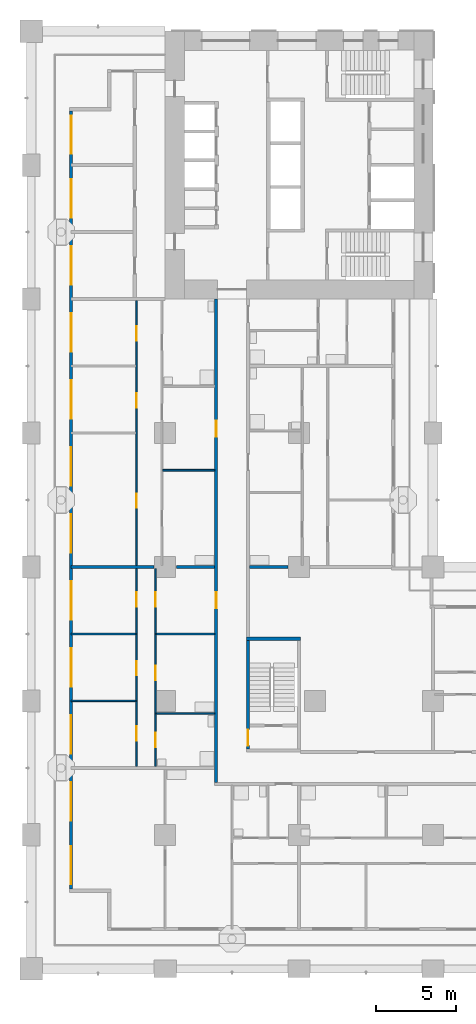
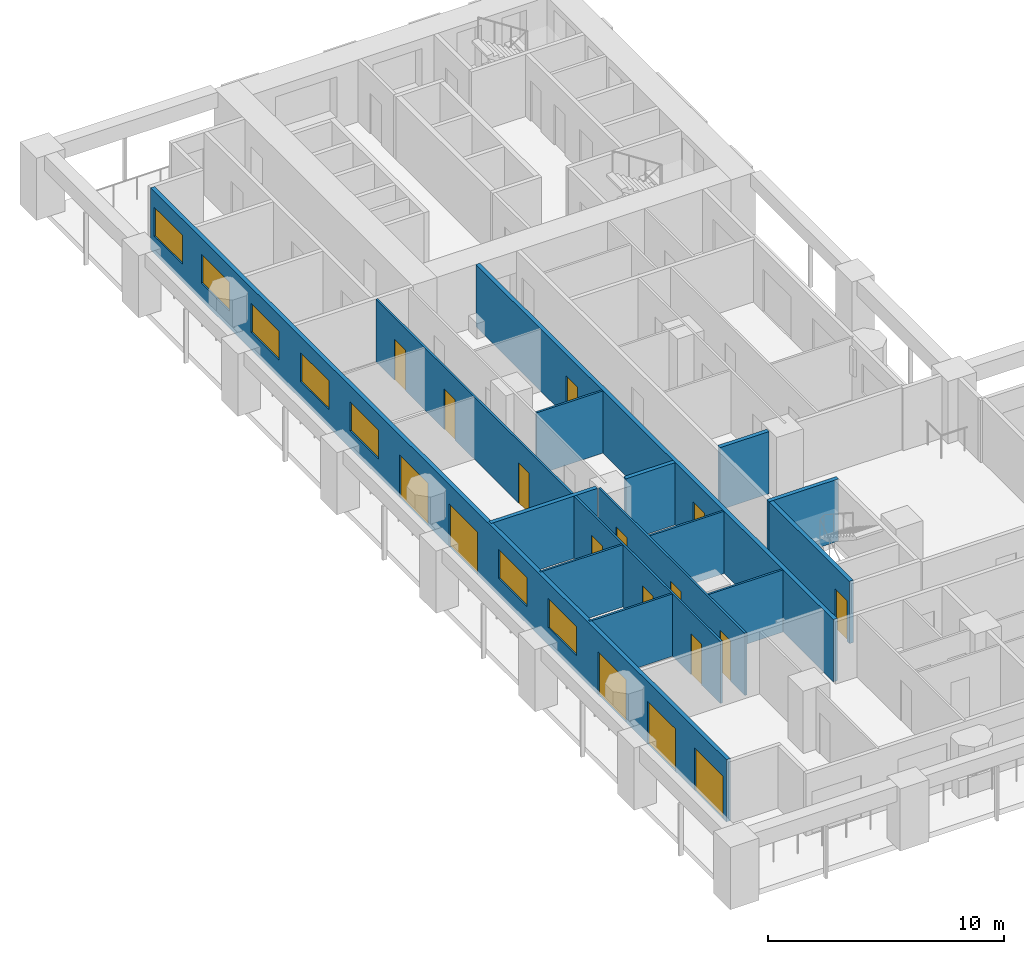
# One storey, part 3 of 20: 17 doors, 14 walls, 7 windows, 24 openings.
"""IFC4 building model written with IfcOpenShell, lengths in metres."""

from ifc_helpers import new_model, si_unit, direction, frame, frame_2d, origin, place, context, subcontext, project, spatial, rectangle, extrude, material, layer, layer_set, type_object, element, fill, save


model = new_model("IFC4")

# Units and contexts
model_context = context("Model", 3, precision=1e-05, world=origin(), true_north=direction((0.0, 1.0)))
body_context = subcontext(model_context, "Body", "Model", "MODEL_VIEW")
ifc_project = project(units=[si_unit("LENGTHUNIT", "METRE"), si_unit("AREAUNIT", "SQUARE_METRE"), si_unit("VOLUMEUNIT", "CUBIC_METRE"), si_unit("PLANEANGLEUNIT", "RADIAN"), si_unit("MASSUNIT", "GRAM", prefix="KILO")], contexts=[model_context])

# Site, building, storey
site_placement = place(None, origin())
site = spatial("IfcSite", under=ifc_project, at=site_placement, CompositionType="ELEMENT")
building_placement = place(site_placement, origin())
building = spatial("IfcBuilding", under=site, at=building_placement, Name="Vermilion Gate Residences", CompositionType="ELEMENT")
storey_placement = place(building_placement, frame((0.0, 0.0, 35.699951171875)))
storey = spatial("IfcBuildingStorey", under=building, at=storey_placement, Name="L07", CompositionType="ELEMENT", Elevation=35.699951171875)

# Wall, openings, doors, windows
ifc_material_1 = material(Name="Insulated steel stud wall with terracotta rainscreen", Category="masonry")
ifc_layer_1 = layer(ifc_material_1, 0.199951171875)
ifc_layer_set_1 = layer_set([ifc_layer_1], Name="EXTERNAL WALL 200 TERRACOTTA RAINSCREEN")
wall_type_1 = type_object("IfcWallType", Name="EXTERNAL WALL 200 TERRACOTTA RAINSCREEN", PredefinedType="SOLIDWALL", material=ifc_layer_set_1)
wall_1_placement = place(storey_placement, frame((2.5, 53.800048828125, 0.0), z_axis=(0.0, 0.0, 1.0), x_axis=(0.0, -1.0, 0.0)))
wall_1 = element("IfcWall", 1, at=wall_1_placement, inside=storey, type_object=wall_type_1, Name="External wall", PredefinedType="SOLIDWALL", context=body_context, shape_type="SweptSolid", body=[
    extrude(rectangle(XDim=48.800048828125, YDim=0.199951171875, at=frame_2d((24.39990234375, 0.0))), origin(), (0.0, 0.0, 1.0), 3.219970703125),
])
opening_1_placement = place(wall_1_placement, frame((46.10009765625, 0.0, 0.0)))
opening_1 = element("IfcOpeningElement", 2, at=opening_1_placement, cuts=wall_1, Name="Opening DE07002", PredefinedType="OPENING", context=body_context, shape_type="SweptSolid", body=[
    extrude(rectangle(XDim=2.39990234375, YDim=2.199951171875, at=frame_2d((1.199951171875, 1.10009765625))), frame((0.0, 0.10986328125, 0.0), z_axis=(0.0, -1.0, 0.0), x_axis=(1.0, 0.0, 0.0)), (0.0, 0.0, 1.0), 0.219970703125),
])
opening_2_placement = place(wall_1_placement, frame((42.10009765625, 0.0, 0.0)))
opening_2 = element("IfcOpeningElement", 3, at=opening_2_placement, cuts=wall_1, Name="Opening DE07003", PredefinedType="OPENING", context=body_context, shape_type="SweptSolid", body=[
    extrude(rectangle(XDim=2.39990234375, YDim=2.199951171875, at=frame_2d((1.199951171875, 1.10009765625))), frame((0.0, 0.10986328125, 0.0), z_axis=(0.0, -1.0, 0.0), x_axis=(1.0, 0.0, 0.0)), (0.0, 0.0, 1.0), 0.219970703125),
])
opening_3_placement = place(wall_1_placement, frame((37.89990234375, 0.0, 0.0)))
opening_3 = element("IfcOpeningElement", 4, at=opening_3_placement, cuts=wall_1, Name="Opening DE07004", PredefinedType="OPENING", context=body_context, shape_type="SweptSolid", body=[
    extrude(rectangle(XDim=2.39990234375, YDim=2.199951171875, at=frame_2d((1.199951171875, 1.10009765625))), frame((0.0, 0.10986328125, 0.0), z_axis=(0.0, -1.0, 0.0), x_axis=(1.0, 0.0, 0.0)), (0.0, 0.0, 1.0), 0.219970703125),
])
opening_4_placement = place(wall_1_placement, frame((33.699951171875, 0.0, 0.89990234375)))
opening_4 = element("IfcOpeningElement", 5, at=opening_4_placement, cuts=wall_1, Name="Opening WE07005", PredefinedType="OPENING", context=body_context, shape_type="SweptSolid", body=[
    extrude(rectangle(XDim=2.39990234375, YDim=1.5, at=frame_2d((1.199951171875, 0.75))), frame((0.0, 0.10986328125, 0.0), z_axis=(0.0, -1.0, 0.0), x_axis=(1.0, 0.0, 0.0)), (0.0, 0.0, 1.0), 0.219970703125),
])
opening_5_placement = place(wall_1_placement, frame((29.5, 0.0, 0.89990234375)))
opening_5 = element("IfcOpeningElement", 6, at=opening_5_placement, cuts=wall_1, Name="Opening WE07006", PredefinedType="OPENING", context=body_context, shape_type="SweptSolid", body=[
    extrude(rectangle(XDim=2.39990234375, YDim=1.5, at=frame_2d((1.199951171875, 0.75))), frame((0.0, 0.10986328125, 0.0), z_axis=(0.0, -1.0, 0.0), x_axis=(1.0, 0.0, 0.0)), (0.0, 0.0, 1.0), 0.219970703125),
])
opening_6_placement = place(wall_1_placement, frame((25.300048828125, 0.0, 0.0)))
opening_6 = element("IfcOpeningElement", 7, at=opening_6_placement, cuts=wall_1, Name="Opening DE07007", PredefinedType="OPENING", context=body_context, shape_type="SweptSolid", body=[
    extrude(rectangle(XDim=2.39990234375, YDim=2.199951171875, at=frame_2d((1.199951171875, 1.10009765625))), frame((0.0, 0.10986328125, 0.0), z_axis=(0.0, -1.0, 0.0), x_axis=(1.0, 0.0, 0.0)), (0.0, 0.0, 1.0), 0.219970703125),
])
opening_7_placement = place(wall_1_placement, frame((21.10009765625, 0.0, 0.0)))
opening_7 = element("IfcOpeningElement", 8, at=opening_7_placement, cuts=wall_1, Name="Opening DE07008", PredefinedType="OPENING", context=body_context, shape_type="SweptSolid", body=[
    extrude(rectangle(XDim=2.39990234375, YDim=2.199951171875, at=frame_2d((1.199951171875, 1.10009765625))), frame((0.0, 0.10986328125, 0.0), z_axis=(0.0, -1.0, 0.0), x_axis=(1.0, 0.0, 0.0)), (0.0, 0.0, 1.0), 0.219970703125),
])
opening_8_placement = place(wall_1_placement, frame((16.89990234375, 0.0, 0.89990234375)))
opening_8 = element("IfcOpeningElement", 9, at=opening_8_placement, cuts=wall_1, Name="Opening WE07009", PredefinedType="OPENING", context=body_context, shape_type="SweptSolid", body=[
    extrude(rectangle(XDim=2.39990234375, YDim=1.5, at=frame_2d((1.199951171875, 0.75))), frame((0.0, 0.10986328125, 0.0), z_axis=(0.0, -1.0, 0.0), x_axis=(1.0, 0.0, 0.0)), (0.0, 0.0, 1.0), 0.219970703125),
])
opening_9_placement = place(wall_1_placement, frame((12.699951171875, 0.0, 0.89990234375)))
opening_9 = element("IfcOpeningElement", 10, at=opening_9_placement, cuts=wall_1, Name="Opening WE07010", PredefinedType="OPENING", context=body_context, shape_type="SweptSolid", body=[
    extrude(rectangle(XDim=2.39990234375, YDim=1.5, at=frame_2d((1.199951171875, 0.75))), frame((0.0, 0.10986328125, 0.0), z_axis=(0.0, -1.0, 0.0), x_axis=(1.0, 0.0, 0.0)), (0.0, 0.0, 1.0), 0.219970703125),
])
opening_10_placement = place(wall_1_placement, frame((8.5, 0.0, 0.89990234375)))
opening_10 = element("IfcOpeningElement", 11, at=opening_10_placement, cuts=wall_1, Name="Opening WE07011", PredefinedType="OPENING", context=body_context, shape_type="SweptSolid", body=[
    extrude(rectangle(XDim=2.39990234375, YDim=1.5, at=frame_2d((1.199951171875, 0.75))), frame((0.0, 0.10986328125, 0.0), z_axis=(0.0, -1.0, 0.0), x_axis=(1.0, 0.0, 0.0)), (0.0, 0.0, 1.0), 0.219970703125),
])
opening_11_placement = place(wall_1_placement, frame((4.300048828125, 0.0, 0.89990234375)))
opening_11 = element("IfcOpeningElement", 12, at=opening_11_placement, cuts=wall_1, Name="Opening WE07012", PredefinedType="OPENING", context=body_context, shape_type="SweptSolid", body=[
    extrude(rectangle(XDim=2.39990234375, YDim=1.5, at=frame_2d((1.199951171875, 0.75))), frame((0.0, 0.10986328125, 0.0), z_axis=(0.0, -1.0, 0.0), x_axis=(1.0, 0.0, 0.0)), (0.0, 0.0, 1.0), 0.219970703125),
])
opening_12_placement = place(wall_1_placement, frame((0.300048828125, 0.0, 0.89990234375)))
opening_12 = element("IfcOpeningElement", 13, at=opening_12_placement, cuts=wall_1, Name="Opening WE07013", PredefinedType="OPENING", context=body_context, shape_type="SweptSolid", body=[
    extrude(rectangle(XDim=2.39990234375, YDim=1.5, at=frame_2d((1.199951171875, 0.75))), frame((0.0, 0.10986328125, 0.0), z_axis=(0.0, -1.0, 0.0), x_axis=(1.0, 0.0, 0.0)), (0.0, 0.0, 1.0), 0.219970703125),
])
ifc_material_2 = material(Name="Aluminium and clear glass", Category="aluminium")
door_type_1 = type_object("IfcDoorType", Name="SLIDING GLAZED DOOR 2400 X 2200", OperationType="DOUBLE_DOOR_SLIDING", PredefinedType="DOOR", material=ifc_material_2)
door_1_placement = place(opening_1_placement, origin())
door_1 = element("IfcDoor", 14, at=door_1_placement, inside=storey, type_object=door_type_1, Name="Loggia sliding door", OperationType="DOUBLE_DOOR_SLIDING", OverallHeight=2.199951171875, OverallWidth=2.39990234375, PredefinedType="DOOR", context=body_context, shape_type="SweptSolid", body=[
    extrude(rectangle(XDim=2.39990234375, YDim=2.199951171875, at=frame_2d((1.199951171875, 1.10009765625))), frame((0.0, 0.02490234375, 0.0), z_axis=(0.0, -1.0, 0.0), x_axis=(1.0, 0.0, 0.0)), (0.0, 0.0, 1.0), 0.050048828125),
])
fill(opening_1, door_1)
door_2_placement = place(opening_2_placement, origin())
door_2 = element("IfcDoor", 15, at=door_2_placement, inside=storey, type_object=door_type_1, Name="Loggia sliding door", OperationType="DOUBLE_DOOR_SLIDING", OverallHeight=2.199951171875, OverallWidth=2.39990234375, PredefinedType="DOOR", context=body_context, shape_type="SweptSolid", body=[
    extrude(rectangle(XDim=2.39990234375, YDim=2.199951171875, at=frame_2d((1.199951171875, 1.10009765625))), frame((0.0, 0.02490234375, 0.0), z_axis=(0.0, -1.0, 0.0), x_axis=(1.0, 0.0, 0.0)), (0.0, 0.0, 1.0), 0.050048828125),
])
fill(opening_2, door_2)
door_3_placement = place(opening_3_placement, origin())
door_3 = element("IfcDoor", 16, at=door_3_placement, inside=storey, type_object=door_type_1, Name="Loggia sliding door", OperationType="DOUBLE_DOOR_SLIDING", OverallHeight=2.199951171875, OverallWidth=2.39990234375, PredefinedType="DOOR", context=body_context, shape_type="SweptSolid", body=[
    extrude(rectangle(XDim=2.39990234375, YDim=2.199951171875, at=frame_2d((1.199951171875, 1.10009765625))), frame((0.0, 0.02490234375, 0.0), z_axis=(0.0, -1.0, 0.0), x_axis=(1.0, 0.0, 0.0)), (0.0, 0.0, 1.0), 0.050048828125),
])
fill(opening_3, door_3)
door_4_placement = place(opening_6_placement, origin())
door_4 = element("IfcDoor", 17, at=door_4_placement, inside=storey, type_object=door_type_1, Name="Loggia sliding door", OperationType="DOUBLE_DOOR_SLIDING", OverallHeight=2.199951171875, OverallWidth=2.39990234375, PredefinedType="DOOR", context=body_context, shape_type="SweptSolid", body=[
    extrude(rectangle(XDim=2.39990234375, YDim=2.199951171875, at=frame_2d((1.199951171875, 1.10009765625))), frame((0.0, 0.02490234375, 0.0), z_axis=(0.0, -1.0, 0.0), x_axis=(1.0, 0.0, 0.0)), (0.0, 0.0, 1.0), 0.050048828125),
])
fill(opening_6, door_4)
door_5_placement = place(opening_7_placement, origin())
door_5 = element("IfcDoor", 18, at=door_5_placement, inside=storey, type_object=door_type_1, Name="Loggia sliding door", OperationType="DOUBLE_DOOR_SLIDING", OverallHeight=2.199951171875, OverallWidth=2.39990234375, PredefinedType="DOOR", context=body_context, shape_type="SweptSolid", body=[
    extrude(rectangle(XDim=2.39990234375, YDim=2.199951171875, at=frame_2d((1.199951171875, 1.10009765625))), frame((0.0, 0.02490234375, 0.0), z_axis=(0.0, -1.0, 0.0), x_axis=(1.0, 0.0, 0.0)), (0.0, 0.0, 1.0), 0.050048828125),
])
fill(opening_7, door_5)
ifc_material_3 = material(Name="Aluminium and clear glass", Category="aluminium")
window_type = type_object("IfcWindowType", Name="WINDOW 2400 X 1500", PartitioningType="SINGLE_PANEL", PredefinedType="WINDOW", material=ifc_material_3)
window_1_placement = place(opening_4_placement, origin())
window_1 = element("IfcWindow", 19, at=window_1_placement, inside=storey, type_object=window_type, Name="Window", OverallHeight=1.5, OverallWidth=2.39990234375, PartitioningType="SINGLE_PANEL", PredefinedType="WINDOW", context=body_context, shape_type="SweptSolid", body=[
    extrude(rectangle(XDim=2.39990234375, YDim=1.5, at=frame_2d((1.199951171875, 0.75))), frame((0.0, 0.030029296875, 0.0), z_axis=(0.0, -1.0, 0.0), x_axis=(1.0, 0.0, 0.0)), (0.0, 0.0, 1.0), 0.06005859375),
])
fill(opening_4, window_1)
window_2_placement = place(opening_5_placement, origin())
window_2 = element("IfcWindow", 20, at=window_2_placement, inside=storey, type_object=window_type, Name="Window", OverallHeight=1.5, OverallWidth=2.39990234375, PartitioningType="SINGLE_PANEL", PredefinedType="WINDOW", context=body_context, shape_type="SweptSolid", body=[
    extrude(rectangle(XDim=2.39990234375, YDim=1.5, at=frame_2d((1.199951171875, 0.75))), frame((0.0, 0.030029296875, 0.0), z_axis=(0.0, -1.0, 0.0), x_axis=(1.0, 0.0, 0.0)), (0.0, 0.0, 1.0), 0.06005859375),
])
fill(opening_5, window_2)
window_3_placement = place(opening_8_placement, origin())
window_3 = element("IfcWindow", 21, at=window_3_placement, inside=storey, type_object=window_type, Name="Window", OverallHeight=1.5, OverallWidth=2.39990234375, PartitioningType="SINGLE_PANEL", PredefinedType="WINDOW", context=body_context, shape_type="SweptSolid", body=[
    extrude(rectangle(XDim=2.39990234375, YDim=1.5, at=frame_2d((1.199951171875, 0.75))), frame((0.0, 0.030029296875, 0.0), z_axis=(0.0, -1.0, 0.0), x_axis=(1.0, 0.0, 0.0)), (0.0, 0.0, 1.0), 0.06005859375),
])
fill(opening_8, window_3)
window_4_placement = place(opening_9_placement, origin())
window_4 = element("IfcWindow", 22, at=window_4_placement, inside=storey, type_object=window_type, Name="Window", OverallHeight=1.5, OverallWidth=2.39990234375, PartitioningType="SINGLE_PANEL", PredefinedType="WINDOW", context=body_context, shape_type="SweptSolid", body=[
    extrude(rectangle(XDim=2.39990234375, YDim=1.5, at=frame_2d((1.199951171875, 0.75))), frame((0.0, 0.030029296875, 0.0), z_axis=(0.0, -1.0, 0.0), x_axis=(1.0, 0.0, 0.0)), (0.0, 0.0, 1.0), 0.06005859375),
])
fill(opening_9, window_4)
window_5_placement = place(opening_10_placement, origin())
window_5 = element("IfcWindow", 23, at=window_5_placement, inside=storey, type_object=window_type, Name="Window", OverallHeight=1.5, OverallWidth=2.39990234375, PartitioningType="SINGLE_PANEL", PredefinedType="WINDOW", context=body_context, shape_type="SweptSolid", body=[
    extrude(rectangle(XDim=2.39990234375, YDim=1.5, at=frame_2d((1.199951171875, 0.75))), frame((0.0, 0.030029296875, 0.0), z_axis=(0.0, -1.0, 0.0), x_axis=(1.0, 0.0, 0.0)), (0.0, 0.0, 1.0), 0.06005859375),
])
fill(opening_10, window_5)
window_6_placement = place(opening_11_placement, origin())
window_6 = element("IfcWindow", 24, at=window_6_placement, inside=storey, type_object=window_type, Name="Window", OverallHeight=1.5, OverallWidth=2.39990234375, PartitioningType="SINGLE_PANEL", PredefinedType="WINDOW", context=body_context, shape_type="SweptSolid", body=[
    extrude(rectangle(XDim=2.39990234375, YDim=1.5, at=frame_2d((1.199951171875, 0.75))), frame((0.0, 0.030029296875, 0.0), z_axis=(0.0, -1.0, 0.0), x_axis=(1.0, 0.0, 0.0)), (0.0, 0.0, 1.0), 0.06005859375),
])
fill(opening_11, window_6)
window_7_placement = place(opening_12_placement, origin())
window_7 = element("IfcWindow", 25, at=window_7_placement, inside=storey, type_object=window_type, Name="Window", OverallHeight=1.5, OverallWidth=2.39990234375, PartitioningType="SINGLE_PANEL", PredefinedType="WINDOW", context=body_context, shape_type="SweptSolid", body=[
    extrude(rectangle(XDim=2.39990234375, YDim=1.5, at=frame_2d((1.199951171875, 0.75))), frame((0.0, 0.030029296875, 0.0), z_axis=(0.0, -1.0, 0.0), x_axis=(1.0, 0.0, 0.0)), (0.0, 0.0, 1.0), 0.06005859375),
])
fill(opening_12, window_7)

# Walls
ifc_material_4 = material(Name="Plasterboard on steel studs", Category="steel")
ifc_layer_2 = layer(ifc_material_4, 0.10009765625)
ifc_layer_set_2 = layer_set([ifc_layer_2], Name="PARTITION 100")
wall_type_2 = type_object("IfcWallType", Name="PARTITION 100", PredefinedType="PARTITIONING", material=ifc_layer_set_2)
wall_2_placement = place(storey_placement, frame((7.85009765625, 16.0, 0.0), z_axis=(0.0, 0.0, 1.0), x_axis=(1.0, 0.0, 0.0)))
element("IfcWall", 26, at=wall_2_placement, inside=storey, type_object=wall_type_2, Name="Partition", PredefinedType="PARTITIONING", context=body_context, shape_type="SweptSolid", body=[
    extrude(rectangle(XDim=3.64990234375, YDim=0.10009765625, at=frame_2d((1.824951171875, 0.0))), origin(), (0.0, 0.0, 1.0), 3.219970703125),
])
for number, where, z_axis, x_axis, name in (
    (27, (2.5, 16.800048828125, 0.0), (0.0, 0.0, 1.0), (1.0, 0.0, 0.0), "Partition"),
    (28, (2.5, 21.0, 0.0), (0.0, 0.0, 1.0), (1.0, 0.0, 0.0), "Partition"),
):
    element("IfcWall", number, at=place(storey_placement, frame(where, z_axis=z_axis, x_axis=x_axis)), inside=storey, type_object=wall_type_2, Name=name, PredefinedType="PARTITIONING", context=body_context, shape_type="SweptSolid", body=[
        extrude(rectangle(XDim=4.050048828125, YDim=0.10009765625, at=frame_2d((2.02490234375, 0.0))), origin(), (0.0, 0.0, 1.0), 3.219970703125),
    ])
wall_3_placement = place(storey_placement, frame((7.85009765625, 21.0, 0.0), z_axis=(0.0, 0.0, 1.0), x_axis=(1.0, 0.0, 0.0)))
element("IfcWall", 29, at=wall_3_placement, inside=storey, type_object=wall_type_2, Name="Partition", PredefinedType="PARTITIONING", context=body_context, shape_type="SweptSolid", body=[
    extrude(rectangle(XDim=3.64990234375, YDim=0.10009765625, at=frame_2d((1.824951171875, 0.0))), origin(), (0.0, 0.0, 1.0), 3.219970703125),
])
wall_4_placement = place(storey_placement, frame((8.25, 31.26708984375, 0.0), z_axis=(0.0, 0.0, 1.0), x_axis=(1.0, 0.0, 0.0)))
element("IfcWall", 30, at=wall_4_placement, inside=storey, type_object=wall_type_2, Name="Partition", PredefinedType="PARTITIONING", context=body_context, shape_type="SweptSolid", body=[
    extrude(rectangle(XDim=3.25, YDim=0.10009765625, at=frame_2d((1.625, 0.0))), origin(), (0.0, 0.0, 1.0), 3.219970703125),
])

# Wall, openings, doors
wall_5_placement = place(storey_placement, frame((6.60009765625, 12.699951171875, 0.0), z_axis=(0.0, 0.0, 1.0), x_axis=(0.0, 1.0, 0.0)))
wall_5 = element("IfcWall", 31, at=wall_5_placement, inside=storey, type_object=wall_type_2, Name="Partition", PredefinedType="PARTITIONING", context=body_context, shape_type="SweptSolid", body=[
    extrude(rectangle(XDim=29.199951171875, YDim=0.10009765625, at=frame_2d((14.60009765625, 0.0))), origin(), (0.0, 0.0, 1.0), 3.219970703125),
])
opening_13_placement = place(wall_5_placement, frame((1.60009765625, 0.0, 0.0)))
opening_13 = element("IfcOpeningElement", 32, at=opening_13_placement, cuts=wall_5, Name="Opening DA07039", PredefinedType="OPENING", context=body_context, shape_type="SweptSolid", body=[
    extrude(rectangle(XDim=0.89990234375, YDim=2.10009765625, at=frame_2d((0.449951171875, 1.050048828125))), frame((0.0, 0.06005859375, 0.0), z_axis=(0.0, -1.0, 0.0), x_axis=(1.0, 0.0, 0.0)), (0.0, 0.0, 1.0), 0.1201171875),
])
opening_14_placement = place(wall_5_placement, frame((5.699951171875, 0.0, 0.0)))
opening_14 = element("IfcOpeningElement", 33, at=opening_14_placement, cuts=wall_5, Name="Opening DA07040", PredefinedType="OPENING", context=body_context, shape_type="SweptSolid", body=[
    extrude(rectangle(XDim=0.89990234375, YDim=2.10009765625, at=frame_2d((0.449951171875, 1.050048828125))), frame((0.0, 0.06005859375, 0.0), z_axis=(0.0, -1.0, 0.0), x_axis=(1.0, 0.0, 0.0)), (0.0, 0.0, 1.0), 0.1201171875),
])
opening_15_placement = place(wall_5_placement, frame((10.0, 0.0, 0.0)))
opening_15 = element("IfcOpeningElement", 34, at=opening_15_placement, cuts=wall_5, Name="Opening DA07041", PredefinedType="OPENING", context=body_context, shape_type="SweptSolid", body=[
    extrude(rectangle(XDim=0.89990234375, YDim=2.10009765625, at=frame_2d((0.449951171875, 1.050048828125))), frame((0.0, 0.06005859375, 0.0), z_axis=(0.0, -1.0, 0.0), x_axis=(1.0, 0.0, 0.0)), (0.0, 0.0, 1.0), 0.1201171875),
])
opening_16_placement = place(wall_5_placement, frame((16.199951171875, 0.0, 0.0)))
opening_16 = element("IfcOpeningElement", 35, at=opening_16_placement, cuts=wall_5, Name="Opening DA07042", PredefinedType="OPENING", context=body_context, shape_type="SweptSolid", body=[
    extrude(rectangle(XDim=0.89990234375, YDim=2.10009765625, at=frame_2d((0.449951171875, 1.050048828125))), frame((0.0, 0.06005859375, 0.0), z_axis=(0.0, -1.0, 0.0), x_axis=(1.0, 0.0, 0.0)), (0.0, 0.0, 1.0), 0.1201171875),
])
opening_17_placement = place(wall_5_placement, frame((22.5, 0.0, 0.0)))
opening_17 = element("IfcOpeningElement", 36, at=opening_17_placement, cuts=wall_5, Name="Opening DA07043", PredefinedType="OPENING", context=body_context, shape_type="SweptSolid", body=[
    extrude(rectangle(XDim=0.89990234375, YDim=2.10009765625, at=frame_2d((0.449951171875, 1.050048828125))), frame((0.0, 0.06005859375, 0.0), z_axis=(0.0, -1.0, 0.0), x_axis=(1.0, 0.0, 0.0)), (0.0, 0.0, 1.0), 0.1201171875),
])
opening_18_placement = place(wall_5_placement, frame((26.699951171875, 0.0, 0.0)))
opening_18 = element("IfcOpeningElement", 37, at=opening_18_placement, cuts=wall_5, Name="Opening DA07044", PredefinedType="OPENING", context=body_context, shape_type="SweptSolid", body=[
    extrude(rectangle(XDim=0.89990234375, YDim=2.10009765625, at=frame_2d((0.449951171875, 1.050048828125))), frame((0.0, 0.06005859375, 0.0), z_axis=(0.0, -1.0, 0.0), x_axis=(1.0, 0.0, 0.0)), (0.0, 0.0, 1.0), 0.1201171875),
])
ifc_material_5 = material(Name="Timber", Category="wood")
door_type_2 = type_object("IfcDoorType", Name="INTERIOR DOOR 900 X 2100", OperationType="SINGLE_SWING_LEFT", PredefinedType="DOOR", material=ifc_material_5)
door_6_placement = place(opening_13_placement, origin())
door_6 = element("IfcDoor", 38, at=door_6_placement, inside=storey, type_object=door_type_2, Name="Interior door", OperationType="SINGLE_SWING_RIGHT", OverallHeight=2.10009765625, OverallWidth=0.89990234375, PredefinedType="DOOR", context=body_context, shape_type="SweptSolid", body=[
    extrude(rectangle(XDim=0.89990234375, YDim=2.10009765625, at=frame_2d((0.449951171875, 1.050048828125))), frame((0.0, 0.02490234375, 0.0), z_axis=(0.0, -1.0, 0.0), x_axis=(1.0, 0.0, 0.0)), (0.0, 0.0, 1.0), 0.050048828125),
])
fill(opening_13, door_6)
door_7_placement = place(opening_14_placement, origin())
door_7 = element("IfcDoor", 39, at=door_7_placement, inside=storey, type_object=door_type_2, Name="Interior door", OperationType="SINGLE_SWING_LEFT", OverallHeight=2.10009765625, OverallWidth=0.89990234375, PredefinedType="DOOR", context=body_context, shape_type="SweptSolid", body=[
    extrude(rectangle(XDim=0.89990234375, YDim=2.10009765625, at=frame_2d((0.449951171875, 1.050048828125))), frame((0.0, 0.02490234375, 0.0), z_axis=(0.0, -1.0, 0.0), x_axis=(1.0, 0.0, 0.0)), (0.0, 0.0, 1.0), 0.050048828125),
])
fill(opening_14, door_7)
door_8_placement = place(opening_15_placement, origin())
door_8 = element("IfcDoor", 40, at=door_8_placement, inside=storey, type_object=door_type_2, Name="Interior door", OperationType="SINGLE_SWING_RIGHT", OverallHeight=2.10009765625, OverallWidth=0.89990234375, PredefinedType="DOOR", context=body_context, shape_type="SweptSolid", body=[
    extrude(rectangle(XDim=0.89990234375, YDim=2.10009765625, at=frame_2d((0.449951171875, 1.050048828125))), frame((0.0, 0.02490234375, 0.0), z_axis=(0.0, -1.0, 0.0), x_axis=(1.0, 0.0, 0.0)), (0.0, 0.0, 1.0), 0.050048828125),
])
fill(opening_15, door_8)
door_9_placement = place(opening_16_placement, origin())
door_9 = element("IfcDoor", 41, at=door_9_placement, inside=storey, type_object=door_type_2, Name="Interior door", OperationType="SINGLE_SWING_LEFT", OverallHeight=2.10009765625, OverallWidth=0.89990234375, PredefinedType="DOOR", context=body_context, shape_type="SweptSolid", body=[
    extrude(rectangle(XDim=0.89990234375, YDim=2.10009765625, at=frame_2d((0.449951171875, 1.050048828125))), frame((0.0, 0.02490234375, 0.0), z_axis=(0.0, -1.0, 0.0), x_axis=(1.0, 0.0, 0.0)), (0.0, 0.0, 1.0), 0.050048828125),
])
fill(opening_16, door_9)
door_10_placement = place(opening_17_placement, origin())
door_10 = element("IfcDoor", 42, at=door_10_placement, inside=storey, type_object=door_type_2, Name="Interior door", OperationType="SINGLE_SWING_LEFT", OverallHeight=2.10009765625, OverallWidth=0.89990234375, PredefinedType="DOOR", context=body_context, shape_type="SweptSolid", body=[
    extrude(rectangle(XDim=0.89990234375, YDim=2.10009765625, at=frame_2d((0.449951171875, 1.050048828125))), frame((0.0, 0.02490234375, 0.0), z_axis=(0.0, -1.0, 0.0), x_axis=(1.0, 0.0, 0.0)), (0.0, 0.0, 1.0), 0.050048828125),
])
fill(opening_17, door_10)
door_11_placement = place(opening_18_placement, origin())
door_11 = element("IfcDoor", 43, at=door_11_placement, inside=storey, type_object=door_type_2, Name="Interior door", OperationType="SINGLE_SWING_LEFT", OverallHeight=2.10009765625, OverallWidth=0.89990234375, PredefinedType="DOOR", context=body_context, shape_type="SweptSolid", body=[
    extrude(rectangle(XDim=0.89990234375, YDim=2.10009765625, at=frame_2d((0.449951171875, 1.050048828125))), frame((0.0, 0.02490234375, 0.0), z_axis=(0.0, -1.0, 0.0), x_axis=(1.0, 0.0, 0.0)), (0.0, 0.0, 1.0), 0.050048828125),
])
fill(opening_18, door_11)

wall_6_placement = place(storey_placement, frame((7.800048828125, 12.699951171875, 0.0), z_axis=(0.0, 0.0, 1.0), x_axis=(0.0, 1.0, 0.0)))
wall_6 = element("IfcWall", 44, at=wall_6_placement, inside=storey, type_object=wall_type_2, Name="Partition", PredefinedType="PARTITIONING", context=body_context, shape_type="SweptSolid", body=[
    extrude(rectangle(XDim=12.400146484375, YDim=0.10009765625, at=frame_2d((6.2001953125, 0.0))), origin(), (0.0, 0.0, 1.0), 3.219970703125),
])
opening_19_placement = place(wall_6_placement, frame((10.0, 0.0, 0.0)))
opening_19 = element("IfcOpeningElement", 45, at=opening_19_placement, cuts=wall_6, Name="Opening DA07045", PredefinedType="OPENING", context=body_context, shape_type="SweptSolid", body=[
    extrude(rectangle(XDim=0.89990234375, YDim=2.10009765625, at=frame_2d((0.449951171875, 1.050048828125))), frame((0.0, 0.06005859375, 0.0), z_axis=(0.0, -1.0, 0.0), x_axis=(1.0, 0.0, 0.0)), (0.0, 0.0, 1.0), 0.1201171875),
])
opening_20_placement = place(wall_6_placement, frame((1.199951171875, 0.0, 0.0)))
opening_20 = element("IfcOpeningElement", 46, at=opening_20_placement, cuts=wall_6, Name="Opening DA07046", PredefinedType="OPENING", context=body_context, shape_type="SweptSolid", body=[
    extrude(rectangle(XDim=0.89990234375, YDim=2.10009765625, at=frame_2d((0.449951171875, 1.050048828125))), frame((0.0, 0.06005859375, 0.0), z_axis=(0.0, -1.0, 0.0), x_axis=(1.0, 0.0, 0.0)), (0.0, 0.0, 1.0), 0.1201171875),
])
opening_21_placement = place(wall_6_placement, frame((5.39990234375, 0.0, 0.0)))
opening_21 = element("IfcOpeningElement", 47, at=opening_21_placement, cuts=wall_6, Name="Opening DA07047", PredefinedType="OPENING", context=body_context, shape_type="SweptSolid", body=[
    extrude(rectangle(XDim=0.89990234375, YDim=2.10009765625, at=frame_2d((0.449951171875, 1.050048828125))), frame((0.0, 0.06005859375, 0.0), z_axis=(0.0, -1.0, 0.0), x_axis=(1.0, 0.0, 0.0)), (0.0, 0.0, 1.0), 0.1201171875),
])
door_12_placement = place(opening_19_placement, origin())
door_12 = element("IfcDoor", 48, at=door_12_placement, inside=storey, type_object=door_type_2, Name="Interior door", OperationType="SINGLE_SWING_RIGHT", OverallHeight=2.10009765625, OverallWidth=0.89990234375, PredefinedType="DOOR", context=body_context, shape_type="SweptSolid", body=[
    extrude(rectangle(XDim=0.89990234375, YDim=2.10009765625, at=frame_2d((0.449951171875, 1.050048828125))), frame((0.0, 0.02490234375, 0.0), z_axis=(0.0, -1.0, 0.0), x_axis=(1.0, 0.0, 0.0)), (0.0, 0.0, 1.0), 0.050048828125),
])
fill(opening_19, door_12)
door_13_placement = place(opening_20_placement, frame((0.89990234375, 0.0, 0.0), z_axis=(0.0, 0.0, 1.0), x_axis=(-1.0, 0.0, 0.0)))
door_13 = element("IfcDoor", 49, at=door_13_placement, inside=storey, type_object=door_type_2, Name="Interior door", OperationType="SINGLE_SWING_RIGHT", OverallHeight=2.10009765625, OverallWidth=0.89990234375, PredefinedType="DOOR", context=body_context, shape_type="SweptSolid", body=[
    extrude(rectangle(XDim=0.89990234375, YDim=2.10009765625, at=frame_2d((0.449951171875, 1.050048828125))), frame((0.0, 0.02490234375, 0.0), z_axis=(0.0, -1.0, 0.0), x_axis=(1.0, 0.0, 0.0)), (0.0, 0.0, 1.0), 0.050048828125),
])
fill(opening_20, door_13)
door_14_placement = place(opening_21_placement, frame((0.89990234375, 0.0, 0.0), z_axis=(0.0, 0.0, 1.0), x_axis=(-1.0, 0.0, 0.0)))
door_14 = element("IfcDoor", 50, at=door_14_placement, inside=storey, type_object=door_type_2, Name="Interior door", OperationType="SINGLE_SWING_RIGHT", OverallHeight=2.10009765625, OverallWidth=0.89990234375, PredefinedType="DOOR", context=body_context, shape_type="SweptSolid", body=[
    extrude(rectangle(XDim=0.89990234375, YDim=2.10009765625, at=frame_2d((0.449951171875, 1.050048828125))), frame((0.0, 0.02490234375, 0.0), z_axis=(0.0, -1.0, 0.0), x_axis=(1.0, 0.0, 0.0)), (0.0, 0.0, 1.0), 0.050048828125),
])
fill(opening_21, door_14)

# Walls
ifc_material_6 = material(Name="Fire-rated plasterboard on steel studs", Category="steel")
ifc_layer_3 = layer(ifc_material_6, 0.199951171875)
ifc_layer_set_3 = layer_set([ifc_layer_3], Name="PARTY WALL 200 EI 120")
wall_type_3 = type_object("IfcWallType", Name="PARTY WALL 200 EI 120", PredefinedType="PARTITIONING", material=ifc_layer_set_3)
wall_7_placement = place(storey_placement, frame((2.5, 25.199951171875, 0.0), z_axis=(0.0, 0.0, 1.0), x_axis=(1.0, 0.0, 0.0)))
element("IfcWall", 51, at=wall_7_placement, inside=storey, type_object=wall_type_3, Name="Party and corridor wall", PredefinedType="PARTITIONING", context=body_context, shape_type="SweptSolid", body=[
    extrude(rectangle(XDim=5.199951171875, YDim=0.199951171875, at=frame_2d((2.60009765625, 0.0))), origin(), (0.0, 0.0, 1.0), 3.219970703125),
])
wall_8_placement = place(storey_placement, frame((9.10009765625, 25.199951171875, 0.0), z_axis=(0.0, 0.0, 1.0), x_axis=(1.0, 0.0, 0.0)))
element("IfcWall", 52, at=wall_8_placement, inside=storey, type_object=wall_type_3, Name="Party and corridor wall", PredefinedType="PARTITIONING", context=body_context, shape_type="SweptSolid", body=[
    extrude(rectangle(XDim=2.39990234375, YDim=0.199951171875, at=frame_2d((1.199951171875, 0.0))), origin(), (0.0, 0.0, 1.0), 3.219970703125),
])
wall_9_placement = place(storey_placement, frame((13.699951171875, 25.199951171875, 0.0), z_axis=(0.0, 0.0, 1.0), x_axis=(1.0, 0.0, 0.0)))
element("IfcWall", 53, at=wall_9_placement, inside=storey, type_object=wall_type_3, Name="Party and corridor wall", PredefinedType="PARTITIONING", context=body_context, shape_type="SweptSolid", body=[
    extrude(rectangle(XDim=2.400146484375, YDim=0.199951171875, at=frame_2d((1.2001953125, 0.0))), origin(), (0.0, 0.0, 1.0), 3.219970703125),
])

# Wall, openings, doors
wall_10_placement = place(storey_placement, frame((11.60009765625, 11.699951171875, 0.0), z_axis=(0.0, 0.0, 1.0), x_axis=(0.0, 1.0, 0.0)))
wall_10 = element("IfcWall", 54, at=wall_10_placement, inside=storey, type_object=wall_type_3, Name="Party and corridor wall", PredefinedType="PARTITIONING", context=body_context, shape_type="SweptSolid", body=[
    extrude(rectangle(XDim=30.300048828125, YDim=0.199951171875, at=frame_2d((15.14990234375, 0.0))), origin(), (0.0, 0.0, 1.0), 3.219970703125),
])
opening_22_placement = place(wall_10_placement, frame((10.89990234375, 0.0, 0.0)))
opening_22 = element("IfcOpeningElement", 55, at=opening_22_placement, cuts=wall_10, Name="Opening DA07052", PredefinedType="OPENING", context=body_context, shape_type="SweptSolid", body=[
    extrude(rectangle(XDim=1.0, YDim=2.10009765625, at=frame_2d((0.5, 1.050048828125))), frame((0.0, 0.10986328125, 0.0), z_axis=(0.0, -1.0, 0.0), x_axis=(1.0, 0.0, 0.0)), (0.0, 0.0, 1.0), 0.219970703125),
])
opening_23_placement = place(wall_10_placement, frame((21.6669921875, 0.0, 0.0)))
opening_23 = element("IfcOpeningElement", 56, at=opening_23_placement, cuts=wall_10, Name="Opening DA07053", PredefinedType="OPENING", context=body_context, shape_type="SweptSolid", body=[
    extrude(rectangle(XDim=1.0, YDim=2.10009765625, at=frame_2d((0.5, 1.050048828125))), frame((0.0, 0.10986328125, 0.0), z_axis=(0.0, -1.0, 0.0), x_axis=(1.0, 0.0, 0.0)), (0.0, 0.0, 1.0), 0.219970703125),
])
ifc_material_7 = material(Name="Steel", Category="steel")
door_type_3 = type_object("IfcDoorType", Name="ENTRANCE DOOR 1000 X 2100 FD30", OperationType="SINGLE_SWING_LEFT", PredefinedType="DOOR", material=ifc_material_7)
door_15_placement = place(opening_22_placement, origin())
door_15 = element("IfcDoor", 57, at=door_15_placement, inside=storey, type_object=door_type_3, Name="Entrance door", OperationType="SINGLE_SWING_RIGHT", OverallHeight=2.10009765625, OverallWidth=1.0, PredefinedType="DOOR", context=body_context, shape_type="SweptSolid", body=[
    extrude(rectangle(XDim=1.0, YDim=2.10009765625, at=frame_2d((0.5, 1.050048828125))), frame((0.0, 0.02490234375, 0.0), z_axis=(0.0, -1.0, 0.0), x_axis=(1.0, 0.0, 0.0)), (0.0, 0.0, 1.0), 0.050048828125),
])
fill(opening_22, door_15)
door_16_placement = place(opening_23_placement, origin())
door_16 = element("IfcDoor", 58, at=door_16_placement, inside=storey, type_object=door_type_3, Name="Entrance door", OperationType="SINGLE_SWING_LEFT", OverallHeight=2.10009765625, OverallWidth=1.0, PredefinedType="DOOR", context=body_context, shape_type="SweptSolid", body=[
    extrude(rectangle(XDim=1.0, YDim=2.10009765625, at=frame_2d((0.5, 1.050048828125))), frame((0.0, 0.02490234375, 0.0), z_axis=(0.0, -1.0, 0.0), x_axis=(1.0, 0.0, 0.0)), (0.0, 0.0, 1.0), 0.050048828125),
])
fill(opening_23, door_16)

# Wall, opening, door
ifc_material_8 = material(Name="Concrete C60", Category="concrete")
ifc_layer_4 = layer(ifc_material_8, 0.199951171875)
ifc_layer_set_4 = layer_set([ifc_layer_4], Name="RC CORE INTERNAL WALL 200 C60")
wall_type_4 = type_object("IfcWallType", Name="RC CORE INTERNAL WALL 200 C60", PredefinedType="SHEAR", material=ifc_layer_set_4)
wall_11_placement = place(storey_placement, frame((13.60009765625, 13.800048828125, 0.0), z_axis=(0.0, 0.0, 1.0), x_axis=(0.0, 1.0, 0.0)))
wall_11 = element("IfcWall", 59, at=wall_11_placement, inside=storey, type_object=wall_type_4, Name="Core internal wall C07-W", PredefinedType="SHEAR", context=body_context, shape_type="SweptSolid", body=[
    extrude(rectangle(XDim=6.800048828125, YDim=0.199951171875, at=frame_2d((3.39990234375, 0.0))), origin(), (0.0, 0.0, 1.0), 3.219970703125),
])
opening_24_placement = place(wall_11_placement, frame((0.199951171875, 0.0, 0.0)))
opening_24 = element("IfcOpeningElement", 60, at=opening_24_placement, cuts=wall_11, Name="Opening DK07201", PredefinedType="OPENING", context=body_context, shape_type="SweptSolid", body=[
    extrude(rectangle(XDim=1.0, YDim=2.10009765625, at=frame_2d((0.5, 1.050048828125))), frame((0.0, 0.10986328125, 0.0), z_axis=(0.0, -1.0, 0.0), x_axis=(1.0, 0.0, 0.0)), (0.0, 0.0, 1.0), 0.219970703125),
])
ifc_material_9 = material(Name="Steel", Category="steel")
door_type_4 = type_object("IfcDoorType", Name="FIRE DOOR FD60 1000 X 2100", OperationType="SINGLE_SWING_LEFT", PredefinedType="DOOR", material=ifc_material_9)
door_17_placement = place(opening_24_placement, frame((1.0, 0.0, 0.0), z_axis=(0.0, 0.0, 1.0), x_axis=(-1.0, 0.0, 0.0)))
door_17 = element("IfcDoor", 61, at=door_17_placement, inside=storey, type_object=door_type_4, Name="Stair vestibule door C07", OperationType="SINGLE_SWING_LEFT", OverallHeight=2.10009765625, OverallWidth=1.0, PredefinedType="DOOR", context=body_context, shape_type="SweptSolid", body=[
    extrude(rectangle(XDim=1.0, YDim=2.10009765625, at=frame_2d((0.5, 1.050048828125))), frame((0.0, 0.02490234375, 0.0), z_axis=(0.0, -1.0, 0.0), x_axis=(1.0, 0.0, 0.0)), (0.0, 0.0, 1.0), 0.050048828125),
])
fill(opening_24, door_17)

# Wall
wall_12_placement = place(storey_placement, frame((13.5, 20.699951171875, 0.0), z_axis=(0.0, 0.0, 1.0), x_axis=(1.0, 0.0, 0.0)))
element("IfcWall", 62, at=wall_12_placement, inside=storey, type_object=wall_type_4, Name="Core internal wall C07-N", PredefinedType="SHEAR", context=body_context, shape_type="SweptSolid", body=[
    extrude(rectangle(XDim=3.39990234375, YDim=0.199951171875, at=frame_2d((1.699951171875, 0.0))), origin(), (0.0, 0.0, 1.0), 3.219970703125),
])

save(model, "model.ifc")
